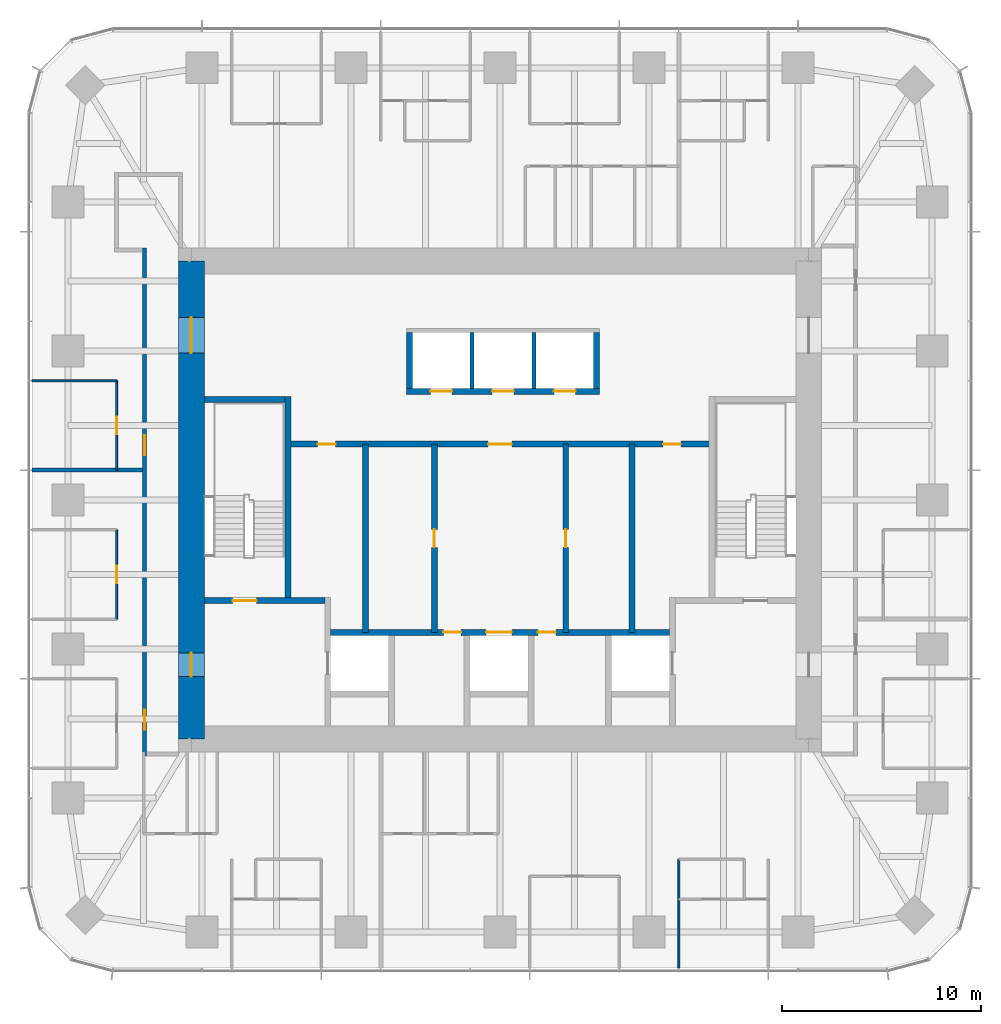
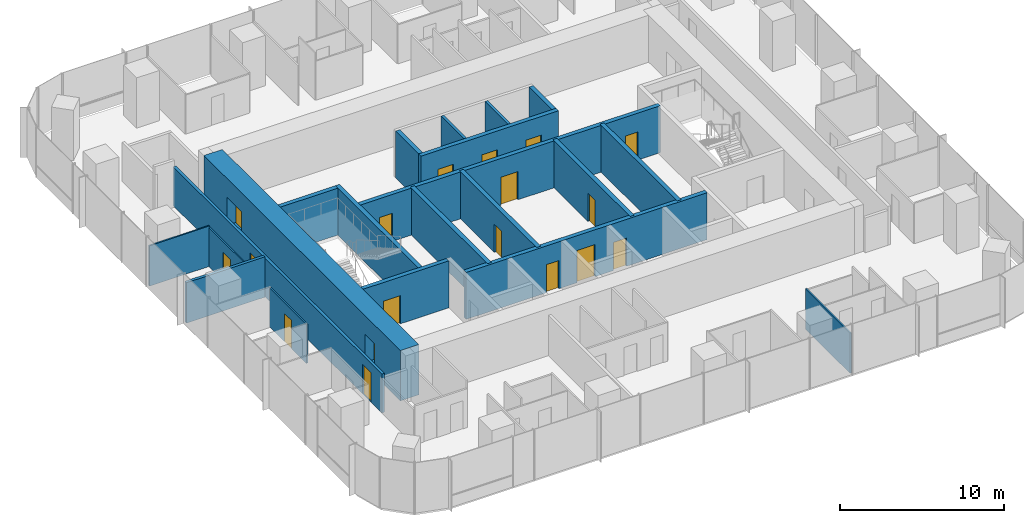
# One storey, part 9 of 12: 21 walls, 18 doors, 18 openings.
"""IFC4 building model written with IfcOpenShell, lengths in metres."""

from ifc_helpers import new_model, si_unit, direction, frame, frame_2d, origin, place, context, subcontext, project, spatial, rectangle, extrude, material, layer, layer_set, type_object, element, fill, save


model = new_model("IFC4")

# Units and contexts
model_context = context("Model", 3, precision=1e-05, world=origin(), true_north=direction((0.0, 1.0)))
body_context = subcontext(model_context, "Body", "Model", "MODEL_VIEW")
ifc_project = project(units=[si_unit("LENGTHUNIT", "METRE"), si_unit("AREAUNIT", "SQUARE_METRE"), si_unit("VOLUMEUNIT", "CUBIC_METRE"), si_unit("PLANEANGLEUNIT", "RADIAN"), si_unit("MASSUNIT", "GRAM", prefix="KILO")], contexts=[model_context])

# Site, building, storey
site_placement = place(None, origin())
site = spatial("IfcSite", under=ifc_project, at=site_placement, CompositionType="ELEMENT")
building_placement = place(site_placement, origin())
building = spatial("IfcBuilding", under=site, at=building_placement, Name="Khuree Lantern Residences", CompositionType="ELEMENT")
storey_placement = place(building_placement, frame((0.0, 0.0, 312.0)))
storey = spatial("IfcBuildingStorey", under=building, at=storey_placement, Name="L78", CompositionType="ELEMENT", Elevation=312.0)

# Wall, openings, doors
ifc_material_1 = material(Name="Dense concrete blockwork", Category="masonry")
ifc_layer_1 = layer(ifc_material_1, 0.300048828125)
ifc_layer_set_1 = layer_set([ifc_layer_1], Name="CORE PARTITION WALL CPW300 EI 120")
wall_type_1 = type_object("IfcWallType", Name="CORE PARTITION WALL CPW300 EI 120", PredefinedType="PARTITIONING", material=ifc_layer_set_1)
wall_1_placement = place(storey_placement, frame((-8.5, -6.64990234375, 0.0), z_axis=(0.0, 0.0, 1.0), x_axis=(1.0, 0.0, 0.0)))
wall_1 = element("IfcWall", 1, at=wall_1_placement, inside=storey, type_object=wall_type_1, Name="L78 CORE WALL FLROW", PredefinedType="PARTITIONING", context=body_context, shape_type="SweptSolid", body=[
    extrude(rectangle(XDim=17.0, YDim=0.300048828125, at=frame_2d((8.5, 0.0))), origin(), (0.0, 0.0, 1.0), 3.5),
])
opening_1_placement = place(wall_1_placement, frame((7.800048828125, 0.0, 0.0)))
opening_1 = element("IfcOpeningElement", 2, at=opening_1_placement, cuts=wall_1, Name="Opening 78-012", PredefinedType="OPENING", context=body_context, shape_type="SweptSolid", body=[
    extrude(rectangle(XDim=1.300048828125, YDim=2.39990234375, at=frame_2d((0.64990234375, 1.199951171875))), frame((0.0, 0.16015625, 0.0), z_axis=(0.0, -1.0, 0.0), x_axis=(1.0, 0.0, 0.0)), (0.0, 0.0, 1.0), 0.320068359375),
])
opening_2_placement = place(wall_1_placement, frame((5.64990234375, 0.0, 0.0)))
opening_2 = element("IfcOpeningElement", 3, at=opening_2_placement, cuts=wall_1, Name="Opening 78-014", PredefinedType="OPENING", context=body_context, shape_type="SweptSolid", body=[
    extrude(rectangle(XDim=0.89990234375, YDim=2.10009765625, at=frame_2d((0.449951171875, 1.050048828125))), frame((0.0, 0.16015625, 0.0), z_axis=(0.0, -1.0, 0.0), x_axis=(1.0, 0.0, 0.0)), (0.0, 0.0, 1.0), 0.320068359375),
])
opening_3_placement = place(wall_1_placement, frame((10.39990234375, 0.0, 0.0)))
opening_3 = element("IfcOpeningElement", 4, at=opening_3_placement, cuts=wall_1, Name="Opening 78-015", PredefinedType="OPENING", context=body_context, shape_type="SweptSolid", body=[
    extrude(rectangle(XDim=0.89990234375, YDim=2.10009765625, at=frame_2d((0.449951171875, 1.050048828125))), frame((0.0, 0.16015625, 0.0), z_axis=(0.0, -1.0, 0.0), x_axis=(1.0, 0.0, 0.0)), (0.0, 0.0, 1.0), 0.320068359375),
])
ifc_material_2 = material(Name="Steel door leaf in steel frame", Category="steel")
door_type_1 = type_object("IfcDoorType", Name="DOOR 900X2100 EI 60", OperationType="SINGLE_SWING_LEFT", PredefinedType="DOOR", material=ifc_material_2)
door_1_placement = place(opening_2_placement, origin())
door_1 = element("IfcDoor", 5, at=door_1_placement, inside=storey, type_object=door_type_1, Name="Refuse chute room door 78-014", OperationType="SINGLE_SWING_LEFT", OverallHeight=2.10009765625, OverallWidth=0.89990234375, PredefinedType="DOOR", context=body_context, shape_type="SweptSolid", body=[
    extrude(rectangle(XDim=0.89990234375, YDim=2.10009765625, at=frame_2d((0.449951171875, 1.050048828125))), frame((0.0, 0.02490234375, 0.0), z_axis=(0.0, -1.0, 0.0), x_axis=(1.0, 0.0, 0.0)), (0.0, 0.0, 1.0), 0.050048828125),
])
fill(opening_2, door_1)
door_type_2 = type_object("IfcDoorType", Name="DOOR 900X2100 EI 60 RIGHT HAND", OperationType="SINGLE_SWING_RIGHT", PredefinedType="DOOR", material=ifc_material_2)
door_2_placement = place(opening_3_placement, origin())
door_2 = element("IfcDoor", 6, at=door_2_placement, inside=storey, type_object=door_type_2, Name="Electrical and plumbing riser door 78-015", OperationType="SINGLE_SWING_RIGHT", OverallHeight=2.10009765625, OverallWidth=0.89990234375, PredefinedType="DOOR", context=body_context, shape_type="SweptSolid", body=[
    extrude(rectangle(XDim=0.89990234375, YDim=2.10009765625, at=frame_2d((0.449951171875, 1.050048828125))), frame((0.0, 0.02490234375, 0.0), z_axis=(0.0, -1.0, 0.0), x_axis=(1.0, 0.0, 0.0)), (0.0, 0.0, 1.0), 0.050048828125),
])
fill(opening_3, door_2)
ifc_material_3 = material(Name="Stainless steel lift landing door", Category="steel")
door_type_3 = type_object("IfcDoorType", Name="LIFT LANDING DOOR 1300X2400 E 60", OperationType="DOUBLE_DOOR_SLIDING", PredefinedType="DOOR", material=ifc_material_3)
door_3_placement = place(opening_1_placement, origin())
door_3 = element("IfcDoor", 7, at=door_3_placement, inside=storey, type_object=door_type_3, Name="Landing door SL1 78-012", OperationType="DOUBLE_DOOR_SLIDING", OverallHeight=2.39990234375, OverallWidth=1.300048828125, PredefinedType="DOOR", context=body_context, shape_type="SweptSolid", body=[
    extrude(rectangle(XDim=1.300048828125, YDim=2.39990234375, at=frame_2d((0.64990234375, 1.199951171875))), frame((0.0, 0.02490234375, 0.0), z_axis=(0.0, -1.0, 0.0), x_axis=(1.0, 0.0, 0.0)), (0.0, 0.0, 1.0), 0.050048828125),
])
fill(opening_1, door_3)

wall_2_placement = place(storey_placement, frame((-4.699951171875, 5.449951171875, 0.0), z_axis=(0.0, 0.0, 1.0), x_axis=(1.0, 0.0, 0.0)))
wall_2 = element("IfcWall", 8, at=wall_2_placement, inside=storey, type_object=wall_type_1, Name="L78 CORE WALL PHS", PredefinedType="PARTITIONING", context=body_context, shape_type="SweptSolid", body=[
    extrude(rectangle(XDim=9.699951171875, YDim=0.300048828125, at=frame_2d((4.85009765625, 0.0))), origin(), (0.0, 0.0, 1.0), 3.5),
])
opening_4_placement = place(wall_2_placement, frame((1.199951171875, 0.0, 0.0)))
opening_4 = element("IfcOpeningElement", 9, at=opening_4_placement, cuts=wall_2, Name="Opening 78-009", PredefinedType="OPENING", context=body_context, shape_type="SweptSolid", body=[
    extrude(rectangle(XDim=1.10009765625, YDim=2.10009765625, at=frame_2d((0.550048828125, 1.050048828125))), frame((0.0, 0.16015625, 0.0), z_axis=(0.0, -1.0, 0.0), x_axis=(1.0, 0.0, 0.0)), (0.0, 0.0, 1.0), 0.320068359375),
])
opening_5_placement = place(wall_2_placement, frame((4.300048828125, 0.0, 0.0)))
opening_5 = element("IfcOpeningElement", 10, at=opening_5_placement, cuts=wall_2, Name="Opening 78-010", PredefinedType="OPENING", context=body_context, shape_type="SweptSolid", body=[
    extrude(rectangle(XDim=1.10009765625, YDim=2.10009765625, at=frame_2d((0.550048828125, 1.050048828125))), frame((0.0, 0.16015625, 0.0), z_axis=(0.0, -1.0, 0.0), x_axis=(1.0, 0.0, 0.0)), (0.0, 0.0, 1.0), 0.320068359375),
])
opening_6_placement = place(wall_2_placement, frame((7.39990234375, 0.0, 0.0)))
opening_6 = element("IfcOpeningElement", 11, at=opening_6_placement, cuts=wall_2, Name="Opening 78-011", PredefinedType="OPENING", context=body_context, shape_type="SweptSolid", body=[
    extrude(rectangle(XDim=1.10009765625, YDim=2.10009765625, at=frame_2d((0.550048828125, 1.050048828125))), frame((0.0, 0.16015625, 0.0), z_axis=(0.0, -1.0, 0.0), x_axis=(1.0, 0.0, 0.0)), (0.0, 0.0, 1.0), 0.320068359375),
])
door_type_4 = type_object("IfcDoorType", Name="LIFT LANDING DOOR 1100X2100 E 60", OperationType="DOUBLE_DOOR_SLIDING", PredefinedType="DOOR", material=ifc_material_3)
door_4_placement = place(opening_4_placement, origin())
door_4 = element("IfcDoor", 12, at=door_4_placement, inside=storey, type_object=door_type_4, Name="Landing door PH1 78-009", OperationType="DOUBLE_DOOR_SLIDING", OverallHeight=2.10009765625, OverallWidth=1.10009765625, PredefinedType="DOOR", context=body_context, shape_type="SweptSolid", body=[
    extrude(rectangle(XDim=1.10009765625, YDim=2.10009765625, at=frame_2d((0.550048828125, 1.050048828125))), frame((0.0, 0.02490234375, 0.0), z_axis=(0.0, -1.0, 0.0), x_axis=(1.0, 0.0, 0.0)), (0.0, 0.0, 1.0), 0.050048828125),
])
fill(opening_4, door_4)
door_5_placement = place(opening_5_placement, origin())
door_5 = element("IfcDoor", 13, at=door_5_placement, inside=storey, type_object=door_type_4, Name="Landing door PH2 78-010", OperationType="DOUBLE_DOOR_SLIDING", OverallHeight=2.10009765625, OverallWidth=1.10009765625, PredefinedType="DOOR", context=body_context, shape_type="SweptSolid", body=[
    extrude(rectangle(XDim=1.10009765625, YDim=2.10009765625, at=frame_2d((0.550048828125, 1.050048828125))), frame((0.0, 0.02490234375, 0.0), z_axis=(0.0, -1.0, 0.0), x_axis=(1.0, 0.0, 0.0)), (0.0, 0.0, 1.0), 0.050048828125),
])
fill(opening_5, door_5)
door_6_placement = place(opening_6_placement, origin())
door_6 = element("IfcDoor", 14, at=door_6_placement, inside=storey, type_object=door_type_4, Name="Landing door PH3 78-011", OperationType="DOUBLE_DOOR_SLIDING", OverallHeight=2.10009765625, OverallWidth=1.10009765625, PredefinedType="DOOR", context=body_context, shape_type="SweptSolid", body=[
    extrude(rectangle(XDim=1.10009765625, YDim=2.10009765625, at=frame_2d((0.550048828125, 1.050048828125))), frame((0.0, 0.02490234375, 0.0), z_axis=(0.0, -1.0, 0.0), x_axis=(1.0, 0.0, 0.0)), (0.0, 0.0, 1.0), 0.050048828125),
])
fill(opening_6, door_6)

# Walls
for number, where, z_axis, x_axis, name in (
    (15, (-4.550048828125, 5.60009765625, 0.0), (0.0, 0.0, 1.0), (0.0, 1.0, 0.0), "L78 CORE WALL PHW"),
    (16, (4.85009765625, 5.60009765625, 0.0), (0.0, 0.0, 1.0), (0.0, 1.0, 0.0), "L78 CORE WALL PHE"),
):
    element("IfcWall", number, at=place(storey_placement, frame(where, z_axis=z_axis, x_axis=x_axis)), inside=storey, type_object=wall_type_1, Name=name, PredefinedType="PARTITIONING", context=body_context, shape_type="SweptSolid", body=[
        extrude(rectangle(XDim=2.7998046875, YDim=0.300048828125, at=frame_2d((1.39990234375, 0.0))), origin(), (0.0, 0.0, 1.0), 3.5),
    ])

# Wall, openings, doors
wall_3_placement = place(storey_placement, frame((-10.64990234375, 2.800048828125, 0.0), z_axis=(0.0, 0.0, 1.0), x_axis=(1.0, 0.0, 0.0)))
wall_3 = element("IfcWall", 17, at=wall_3_placement, inside=storey, type_object=wall_type_1, Name="L78 CORE WALL LLS", PredefinedType="PARTITIONING", context=body_context, shape_type="SweptSolid", body=[
    extrude(rectangle(XDim=21.2998046875, YDim=0.300048828125, at=frame_2d((10.64990234375, 0.0))), origin(), (0.0, 0.0, 1.0), 3.5),
])
opening_7_placement = place(wall_3_placement, frame((10.050048828125, 0.0, 0.0)))
opening_7 = element("IfcOpeningElement", 18, at=opening_7_placement, cuts=wall_3, Name="Opening 78-013", PredefinedType="OPENING", context=body_context, shape_type="SweptSolid", body=[
    extrude(rectangle(XDim=1.199951171875, YDim=2.10009765625, at=frame_2d((0.60009765625, 1.050048828125))), frame((0.0, 0.16015625, 0.0), z_axis=(0.0, -1.0, 0.0), x_axis=(1.0, 0.0, 0.0)), (0.0, 0.0, 1.0), 0.320068359375),
])
opening_8_placement = place(wall_3_placement, frame((1.492919921875, 0.0, 0.0)))
opening_8 = element("IfcOpeningElement", 19, at=opening_8_placement, cuts=wall_3, Name="Opening 78-017", PredefinedType="OPENING", context=body_context, shape_type="SweptSolid", body=[
    extrude(rectangle(XDim=0.89990234375, YDim=2.10009765625, at=frame_2d((0.449951171875, 1.050048828125))), frame((0.0, 0.16015625, 0.0), z_axis=(0.0, -1.0, 0.0), x_axis=(1.0, 0.0, 0.0)), (0.0, 0.0, 1.0), 0.320068359375),
])
opening_9_placement = place(wall_3_placement, frame((18.8359375, 0.0, 0.0)))
opening_9 = element("IfcOpeningElement", 20, at=opening_9_placement, cuts=wall_3, Name="Opening 78-019", PredefinedType="OPENING", context=body_context, shape_type="SweptSolid", body=[
    extrude(rectangle(XDim=0.89990234375, YDim=2.10009765625, at=frame_2d((0.449951171875, 1.050048828125))), frame((0.0, 0.16015625, 0.0), z_axis=(0.0, -1.0, 0.0), x_axis=(1.0, 0.0, 0.0)), (0.0, 0.0, 1.0), 0.320068359375),
])
door_type_5 = type_object("IfcDoorType", Name="DOOR 1200X2100 EI 60", OperationType="SINGLE_SWING_LEFT", PredefinedType="DOOR", material=ifc_material_2)
door_7_placement = place(opening_7_placement, origin())
door_7 = element("IfcDoor", 21, at=door_7_placement, inside=storey, type_object=door_type_5, Name="Service lift lobby door 78-013", OperationType="SINGLE_SWING_LEFT", OverallHeight=2.10009765625, OverallWidth=1.199951171875, PredefinedType="DOOR", context=body_context, shape_type="SweptSolid", body=[
    extrude(rectangle(XDim=1.199951171875, YDim=2.10009765625, at=frame_2d((0.60009765625, 1.050048828125))), frame((0.0, 0.02490234375, 0.0), z_axis=(0.0, -1.0, 0.0), x_axis=(1.0, 0.0, 0.0)), (0.0, 0.0, 1.0), 0.050048828125),
])
fill(opening_7, door_7)
ifc_material_4 = material(Name="Timber door leaf in hardwood frame", Category="wood")
door_type_6 = type_object("IfcDoorType", Name="DOOR 900X2100", OperationType="SINGLE_SWING_LEFT", PredefinedType="DOOR", material=ifc_material_4)
door_8_placement = place(opening_8_placement, origin())
door_8 = element("IfcDoor", 22, at=door_8_placement, inside=storey, type_object=door_type_6, Name="Residents' store door 78-017", OperationType="SINGLE_SWING_LEFT", OverallHeight=2.10009765625, OverallWidth=0.89990234375, PredefinedType="DOOR", context=body_context, shape_type="SweptSolid", body=[
    extrude(rectangle(XDim=0.89990234375, YDim=2.10009765625, at=frame_2d((0.449951171875, 1.050048828125))), frame((0.0, 0.02490234375, 0.0), z_axis=(0.0, -1.0, 0.0), x_axis=(1.0, 0.0, 0.0)), (0.0, 0.0, 1.0), 0.050048828125),
])
fill(opening_8, door_8)
door_type_7 = type_object("IfcDoorType", Name="DOOR 900X2100 RIGHT HAND", OperationType="SINGLE_SWING_RIGHT", PredefinedType="DOOR", material=ifc_material_4)
door_9_placement = place(opening_9_placement, origin())
door_9 = element("IfcDoor", 23, at=door_9_placement, inside=storey, type_object=door_type_7, Name="Residents' store door 78-019", OperationType="SINGLE_SWING_RIGHT", OverallHeight=2.10009765625, OverallWidth=0.89990234375, PredefinedType="DOOR", context=body_context, shape_type="SweptSolid", body=[
    extrude(rectangle(XDim=0.89990234375, YDim=2.10009765625, at=frame_2d((0.449951171875, 1.050048828125))), frame((0.0, 0.02490234375, 0.0), z_axis=(0.0, -1.0, 0.0), x_axis=(1.0, 0.0, 0.0)), (0.0, 0.0, 1.0), 0.050048828125),
])
fill(opening_9, door_9)

# Wall, opening, door
wall_4_placement = place(storey_placement, frame((-3.300048828125, -6.64990234375, 0.0), z_axis=(0.0, 0.0, 1.0), x_axis=(0.0, 1.0, 0.0)))
wall_4 = element("IfcWall", 24, at=wall_4_placement, inside=storey, type_object=wall_type_1, Name="L78 CORE WALL SVW", PredefinedType="PARTITIONING", context=body_context, shape_type="SweptSolid", body=[
    extrude(rectangle(XDim=9.449951171875, YDim=0.300048828125, at=frame_2d((4.72509765625, 0.0))), origin(), (0.0, 0.0, 1.0), 3.5),
])
opening_10_placement = place(wall_4_placement, frame((4.27490234375, 0.0, 0.0)))
opening_10 = element("IfcOpeningElement", 25, at=opening_10_placement, cuts=wall_4, Name="Opening 78-016", PredefinedType="OPENING", context=body_context, shape_type="SweptSolid", body=[
    extrude(rectangle(XDim=0.89990234375, YDim=2.10009765625, at=frame_2d((0.449951171875, 1.050048828125))), frame((0.0, 0.16015625, 0.0), z_axis=(0.0, -1.0, 0.0), x_axis=(1.0, 0.0, 0.0)), (0.0, 0.0, 1.0), 0.320068359375),
])
door_10_placement = place(opening_10_placement, origin())
door_10 = element("IfcDoor", 26, at=door_10_placement, inside=storey, type_object=door_type_6, Name="Residents' store door 78-016", OperationType="SINGLE_SWING_LEFT", OverallHeight=2.10009765625, OverallWidth=0.89990234375, PredefinedType="DOOR", context=body_context, shape_type="SweptSolid", body=[
    extrude(rectangle(XDim=0.89990234375, YDim=2.10009765625, at=frame_2d((0.449951171875, 1.050048828125))), frame((0.0, 0.02490234375, 0.0), z_axis=(0.0, -1.0, 0.0), x_axis=(1.0, 0.0, 0.0)), (0.0, 0.0, 1.0), 0.050048828125),
])
fill(opening_10, door_10)

wall_5_placement = place(storey_placement, frame((3.300048828125, -6.64990234375, 0.0), z_axis=(0.0, 0.0, 1.0), x_axis=(0.0, 1.0, 0.0)))
wall_5 = element("IfcWall", 27, at=wall_5_placement, inside=storey, type_object=wall_type_1, Name="L78 CORE WALL SVE", PredefinedType="PARTITIONING", context=body_context, shape_type="SweptSolid", body=[
    extrude(rectangle(XDim=9.449951171875, YDim=0.300048828125, at=frame_2d((4.72509765625, 0.0))), origin(), (0.0, 0.0, 1.0), 3.5),
])
opening_11_placement = place(wall_5_placement, frame((4.27490234375, 0.0, 0.0)))
opening_11 = element("IfcOpeningElement", 28, at=opening_11_placement, cuts=wall_5, Name="Opening 78-018", PredefinedType="OPENING", context=body_context, shape_type="SweptSolid", body=[
    extrude(rectangle(XDim=0.89990234375, YDim=2.10009765625, at=frame_2d((0.449951171875, 1.050048828125))), frame((0.0, 0.16015625, 0.0), z_axis=(0.0, -1.0, 0.0), x_axis=(1.0, 0.0, 0.0)), (0.0, 0.0, 1.0), 0.320068359375),
])
door_11_placement = place(opening_11_placement, origin())
door_11 = element("IfcDoor", 29, at=door_11_placement, inside=storey, type_object=door_type_6, Name="Residents' store door 78-018", OperationType="SINGLE_SWING_LEFT", OverallHeight=2.10009765625, OverallWidth=0.89990234375, PredefinedType="DOOR", context=body_context, shape_type="SweptSolid", body=[
    extrude(rectangle(XDim=0.89990234375, YDim=2.10009765625, at=frame_2d((0.449951171875, 1.050048828125))), frame((0.0, 0.02490234375, 0.0), z_axis=(0.0, -1.0, 0.0), x_axis=(1.0, 0.0, 0.0)), (0.0, 0.0, 1.0), 0.050048828125),
])
fill(opening_11, door_11)

# Walls
for number, where, z_axis, x_axis, name in (
    (30, (-6.763916015625, -6.64990234375, 0.0), (0.0, 0.0, 1.0), (0.0, 1.0, 0.0), "L78 CORE WALL WV"),
    (31, (6.6220703125, -6.64990234375, 0.0), (0.0, 0.0, 1.0), (0.0, 1.0, 0.0), "L78 CORE WALL EV"),
):
    element("IfcWall", number, at=place(storey_placement, frame(where, z_axis=z_axis, x_axis=x_axis)), inside=storey, type_object=wall_type_1, Name=name, PredefinedType="PARTITIONING", context=body_context, shape_type="SweptSolid", body=[
        extrude(rectangle(XDim=9.449951171875, YDim=0.300048828125, at=frame_2d((4.72509765625, 0.0))), origin(), (0.0, 0.0, 1.0), 3.5),
    ])

# Wall, openings, doors
ifc_material_5 = material(Name="Gypsum board on steel studs", Category="steel")
ifc_layer_2 = layer(ifc_material_5, 0.199951171875)
ifc_layer_set_2 = layer_set([ifc_layer_2], Name="CORRIDOR WALL CRW200 EI 60")
wall_type_2 = type_object("IfcWallType", Name="CORRIDOR WALL CRW200 EI 60", PredefinedType="PARTITIONING", material=ifc_layer_set_2)
wall_6_placement = place(storey_placement, frame((-17.85009765625, 12.64990234375, 0.0), z_axis=(0.0, 0.0, 1.0), x_axis=(0.0, -1.0, 0.0)))
wall_6 = element("IfcWall", 32, at=wall_6_placement, inside=storey, type_object=wall_type_2, Name="L78 CORRIDOR WALL WEST 1", PredefinedType="PARTITIONING", context=body_context, shape_type="SweptSolid", body=[
    extrude(rectangle(XDim=25.5, YDim=0.199951171875, at=frame_2d((12.75, 0.0))), origin(), (0.0, 0.0, 1.0), 2.89990234375),
])
opening_12_placement = place(wall_6_placement, frame((9.39990234375, 0.0, 0.0)))
opening_12 = element("IfcOpeningElement", 33, at=opening_12_placement, cuts=wall_6, Name="Opening 78-034", PredefinedType="OPENING", context=body_context, shape_type="SweptSolid", body=[
    extrude(rectangle(XDim=1.0, YDim=2.199951171875, at=frame_2d((0.5, 1.10009765625))), frame((0.0, 0.10986328125, 0.0), z_axis=(0.0, -1.0, 0.0), x_axis=(1.0, 0.0, 0.0)), (0.0, 0.0, 1.0), 0.219970703125),
])
opening_13_placement = place(wall_6_placement, frame((23.174072265625, 0.0, 0.0)))
opening_13 = element("IfcOpeningElement", 34, at=opening_13_placement, cuts=wall_6, Name="Opening 78-041", PredefinedType="OPENING", context=body_context, shape_type="SweptSolid", body=[
    extrude(rectangle(XDim=1.0, YDim=2.199951171875, at=frame_2d((0.5, 1.10009765625))), frame((0.0, 0.10986328125, 0.0), z_axis=(0.0, -1.0, 0.0), x_axis=(1.0, 0.0, 0.0)), (0.0, 0.0, 1.0), 0.219970703125),
])
door_type_8 = type_object("IfcDoorType", Name="APARTMENT ENTRANCE DOOR 1000X2200 EI 30S", OperationType="SINGLE_SWING_LEFT", PredefinedType="DOOR", material=ifc_material_4)
door_12_placement = place(opening_12_placement, origin())
door_12 = element("IfcDoor", 35, at=door_12_placement, inside=storey, type_object=door_type_8, Name="Apartment 02 entrance door 78-034", OperationType="SINGLE_SWING_LEFT", OverallHeight=2.199951171875, OverallWidth=1.0, PredefinedType="DOOR", context=body_context, shape_type="SweptSolid", body=[
    extrude(rectangle(XDim=1.0, YDim=2.199951171875, at=frame_2d((0.5, 1.10009765625))), frame((0.0, 0.02490234375, 0.0), z_axis=(0.0, -1.0, 0.0), x_axis=(1.0, 0.0, 0.0)), (0.0, 0.0, 1.0), 0.050048828125),
])
fill(opening_12, door_12)
door_type_9 = type_object("IfcDoorType", Name="APARTMENT ENTRANCE DOOR 1000X2200 EI 30S RIGHT HAND", OperationType="SINGLE_SWING_RIGHT", PredefinedType="DOOR", material=ifc_material_4)
door_13_placement = place(opening_13_placement, origin())
door_13 = element("IfcDoor", 36, at=door_13_placement, inside=storey, type_object=door_type_9, Name="Apartment 03 entrance door 78-041", OperationType="SINGLE_SWING_RIGHT", OverallHeight=2.199951171875, OverallWidth=1.0, PredefinedType="DOOR", context=body_context, shape_type="SweptSolid", body=[
    extrude(rectangle(XDim=1.0, YDim=2.199951171875, at=frame_2d((0.5, 1.10009765625))), frame((0.0, 0.02490234375, 0.0), z_axis=(0.0, -1.0, 0.0), x_axis=(1.0, 0.0, 0.0)), (0.0, 0.0, 1.0), 0.050048828125),
])
fill(opening_13, door_13)

ifc_material_6 = material(Name="Concrete C50/60", Category="concrete")
ifc_layer_3 = layer(ifc_material_6, 1.300048828125)
ifc_layer_set_3 = layer_set([ifc_layer_3], Name="CW1300-C50 CORE WALL C50 1300")
wall_type_3 = type_object("IfcWallType", Name="CW1300-C50 CORE WALL C50 1300", PredefinedType="SHEAR", material=ifc_layer_set_3)
wall_7_placement = place(storey_placement, frame((-15.5, -12.0, -0.25), z_axis=(0.0, 0.0, 1.0), x_axis=(0.0, 1.0, 0.0)))
wall_7 = element("IfcWall", 37, at=wall_7_placement, inside=storey, type_object=wall_type_3, Name="Core wall W", PredefinedType="SHEAR", context=body_context, shape_type="SweptSolid", body=[
    extrude(rectangle(XDim=24.0, YDim=1.300048828125, at=frame_2d((12.0, 0.0))), origin(), (0.0, 0.0, 1.0), 3.75),
])
opening_14_placement = place(wall_7_placement, frame((3.125, 0.0, 0.25)))
opening_14 = element("IfcOpeningElement", 38, at=opening_14_placement, cuts=wall_7, Name="Opening 78-002", PredefinedType="OPENING", context=body_context, shape_type="SweptSolid", body=[
    extrude(rectangle(XDim=1.199951171875, YDim=2.10009765625, at=frame_2d((0.60009765625, 1.050048828125))), frame((0.0, 0.66015625, 0.0), z_axis=(0.0, -1.0, 0.0), x_axis=(1.0, 0.0, 0.0)), (0.0, 0.0, 1.0), 1.320068359375),
])
opening_15_placement = place(wall_7_placement, frame((19.375, 0.0, 0.25)))
opening_15 = element("IfcOpeningElement", 39, at=opening_15_placement, cuts=wall_7, Name="Opening 78-003", PredefinedType="OPENING", context=body_context, shape_type="SweptSolid", body=[
    extrude(rectangle(XDim=1.800048828125, YDim=2.10009765625, at=frame_2d((0.89990234375, 1.050048828125))), frame((0.0, 0.66015625, 0.0), z_axis=(0.0, -1.0, 0.0), x_axis=(1.0, 0.0, 0.0)), (0.0, 0.0, 1.0), 1.320068359375),
])
door_type_10 = type_object("IfcDoorType", Name="LOBBY DOOR 1200X2100 EI 120", OperationType="SINGLE_SWING_LEFT", PredefinedType="DOOR", material=ifc_material_2)
door_14_placement = place(opening_14_placement, origin())
door_14 = element("IfcDoor", 40, at=door_14_placement, inside=storey, type_object=door_type_10, Name="Firefighting lobby door 78-002", OperationType="SINGLE_SWING_LEFT", OverallHeight=2.10009765625, OverallWidth=1.199951171875, PredefinedType="DOOR", context=body_context, shape_type="SweptSolid", body=[
    extrude(rectangle(XDim=1.199951171875, YDim=2.10009765625, at=frame_2d((0.60009765625, 1.050048828125))), frame((0.0, 0.02490234375, 0.0), z_axis=(0.0, -1.0, 0.0), x_axis=(1.0, 0.0, 0.0)), (0.0, 0.0, 1.0), 0.050048828125),
])
fill(opening_14, door_14)
door_type_11 = type_object("IfcDoorType", Name="LOBBY DOUBLE DOOR 1800X2100 EI 60", OperationType="DOUBLE_DOOR_SINGLE_SWING", PredefinedType="DOOR", material=ifc_material_2)
door_15_placement = place(opening_15_placement, origin())
door_15 = element("IfcDoor", 41, at=door_15_placement, inside=storey, type_object=door_type_11, Name="Lift lobby door 78-003", OperationType="DOUBLE_DOOR_SINGLE_SWING", OverallHeight=2.10009765625, OverallWidth=1.800048828125, PredefinedType="DOOR", context=body_context, shape_type="SweptSolid", body=[
    extrude(rectangle(XDim=1.800048828125, YDim=2.10009765625, at=frame_2d((0.89990234375, 1.050048828125))), frame((0.0, 0.02490234375, 0.0), z_axis=(0.0, -1.0, 0.0), x_axis=(1.0, 0.0, 0.0)), (0.0, 0.0, 1.0), 0.050048828125),
])
fill(opening_15, door_15)

# Walls
ifc_layer_4 = layer(ifc_material_5, 0.199951171875)
ifc_layer_set_4 = layer_set([ifc_layer_4], Name="DEMISING WALL DMW200 EI 90")
wall_type_4 = type_object("IfcWallType", Name="DEMISING WALL DMW200 EI 90", PredefinedType="PARTITIONING", material=ifc_layer_set_4)
wall_8_placement = place(storey_placement, frame((-17.949951171875, 1.49609375, 0.0), z_axis=(0.0, 0.0, 1.0), x_axis=(-1.0, 0.0, 0.0)))
element("IfcWall", 42, at=wall_8_placement, inside=storey, type_object=wall_type_4, Name="L78 DEMISING WALL 03", PredefinedType="PARTITIONING", context=body_context, shape_type="SweptSolid", body=[
    extrude(rectangle(XDim=5.550048828125, YDim=0.199951171875, at=frame_2d((2.77490234375, 0.0))), origin(), (0.0, 0.0, 1.0), 3.010009765625),
])
ifc_layer_5 = layer(ifc_material_5, 0.10009765625)
ifc_layer_set_5 = layer_set([ifc_layer_5], Name="PARTITION PT100")
wall_type_5 = type_object("IfcWallType", Name="PARTITION PT100", PredefinedType="PARTITIONING", material=ifc_layer_set_5)
wall_9_placement = place(storey_placement, frame((-19.25, 5.98388671875, 0.0), z_axis=(0.0, 0.0, 1.0), x_axis=(-1.0, 0.0, 0.0)))
element("IfcWall", 43, at=wall_9_placement, inside=storey, type_object=wall_type_5, Name="L78 PARTITION 02", PredefinedType="PARTITIONING", context=body_context, shape_type="SweptSolid", body=[
    extrude(rectangle(XDim=4.25, YDim=0.10009765625, at=frame_2d((2.125, 0.0))), origin(), (0.0, 0.0, 1.0), 3.010009765625),
])
wall_10_placement = place(storey_placement, frame((8.97607421875, -18.04638671875, 0.0), z_axis=(0.0, 0.0, 1.0), x_axis=(0.0, -1.0, 0.0)))
element("IfcWall", 44, at=wall_10_placement, inside=storey, type_object=wall_type_5, Name="L78 PARTITION 04", PredefinedType="PARTITIONING", context=body_context, shape_type="SweptSolid", body=[
    extrude(rectangle(XDim=5.45361328125, YDim=0.10009765625, at=frame_2d((2.726806640625, 0.0))), origin(), (0.0, 0.0, 1.0), 3.010009765625),
])

# Wall, opening, door
wall_11_placement = place(storey_placement, frame((-19.25, 5.98388671875, 0.0), z_axis=(0.0, 0.0, 1.0), x_axis=(0.0, -1.0, 0.0)))
wall_11 = element("IfcWall", 45, at=wall_11_placement, inside=storey, type_object=wall_type_5, Name="L78 PARTITION 02", PredefinedType="PARTITIONING", context=body_context, shape_type="SweptSolid", body=[
    extrude(rectangle(XDim=4.48779296875, YDim=0.10009765625, at=frame_2d((2.243896484375, 0.0))), origin(), (0.0, 0.0, 1.0), 2.909912109375),
])
opening_16_placement = place(wall_11_placement, frame((1.7939453125, 0.0, 0.0)))
opening_16 = element("IfcOpeningElement", 46, at=opening_16_placement, cuts=wall_11, Name="Opening 78-029", PredefinedType="OPENING", context=body_context, shape_type="SweptSolid", body=[
    extrude(rectangle(XDim=0.89990234375, YDim=2.10009765625, at=frame_2d((0.449951171875, 1.050048828125))), frame((0.0, 0.06005859375, 0.0), z_axis=(0.0, -1.0, 0.0), x_axis=(1.0, 0.0, 0.0)), (0.0, 0.0, 1.0), 0.1201171875),
])
door_type_12 = type_object("IfcDoorType", Name="BEDROOM DOOR 900X2100 RIGHT HAND", OperationType="SINGLE_SWING_RIGHT", PredefinedType="DOOR", material=ifc_material_4)
door_16_placement = place(opening_16_placement, origin())
door_16 = element("IfcDoor", 47, at=door_16_placement, inside=storey, type_object=door_type_12, Name="Bedroom door 78-029", OperationType="SINGLE_SWING_RIGHT", OverallHeight=2.10009765625, OverallWidth=0.89990234375, PredefinedType="DOOR", context=body_context, shape_type="SweptSolid", body=[
    extrude(rectangle(XDim=0.89990234375, YDim=2.10009765625, at=frame_2d((0.449951171875, 1.050048828125))), frame((0.0, 0.02490234375, 0.0), z_axis=(0.0, -1.0, 0.0), x_axis=(1.0, 0.0, 0.0)), (0.0, 0.0, 1.0), 0.050048828125),
])
fill(opening_16, door_16)

wall_12_placement = place(storey_placement, frame((-19.25, -1.49609375, 0.0), z_axis=(0.0, 0.0, 1.0), x_axis=(0.0, -1.0, 0.0)))
wall_12 = element("IfcWall", 48, at=wall_12_placement, inside=storey, type_object=wall_type_5, Name="L78 PARTITION 03", PredefinedType="PARTITIONING", context=body_context, shape_type="SweptSolid", body=[
    extrude(rectangle(XDim=4.48779296875, YDim=0.10009765625, at=frame_2d((2.243896484375, 0.0))), origin(), (0.0, 0.0, 1.0), 2.909912109375),
])
opening_17_placement = place(wall_12_placement, frame((1.7939453125, 0.0, 0.0)))
opening_17 = element("IfcOpeningElement", 49, at=opening_17_placement, cuts=wall_12, Name="Opening 78-035", PredefinedType="OPENING", context=body_context, shape_type="SweptSolid", body=[
    extrude(rectangle(XDim=0.89990234375, YDim=2.10009765625, at=frame_2d((0.449951171875, 1.050048828125))), frame((0.0, 0.06005859375, 0.0), z_axis=(0.0, -1.0, 0.0), x_axis=(1.0, 0.0, 0.0)), (0.0, 0.0, 1.0), 0.1201171875),
])
door_type_13 = type_object("IfcDoorType", Name="BEDROOM DOOR 900X2100", OperationType="SINGLE_SWING_LEFT", PredefinedType="DOOR", material=ifc_material_4)
door_17_placement = place(opening_17_placement, origin())
door_17 = element("IfcDoor", 50, at=door_17_placement, inside=storey, type_object=door_type_13, Name="Bedroom door 78-035", OperationType="SINGLE_SWING_LEFT", OverallHeight=2.10009765625, OverallWidth=0.89990234375, PredefinedType="DOOR", context=body_context, shape_type="SweptSolid", body=[
    extrude(rectangle(XDim=0.89990234375, YDim=2.10009765625, at=frame_2d((0.449951171875, 1.050048828125))), frame((0.0, 0.02490234375, 0.0), z_axis=(0.0, -1.0, 0.0), x_axis=(1.0, 0.0, 0.0)), (0.0, 0.0, 1.0), 0.050048828125),
])
fill(opening_17, door_17)

# Walls
ifc_layer_6 = layer(ifc_material_1, 0.199951171875)
ifc_layer_set_6 = layer_set([ifc_layer_6], Name="SHAFT WALL SHW200 EI 120")
wall_type_6 = type_object("IfcWallType", Name="SHAFT WALL SHW200 EI 120", PredefinedType="PARTITIONING", material=ifc_layer_set_6)
for number, where, z_axis, x_axis, name in (
    (51, (-1.39990234375, 5.60009765625, 0.0), (0.0, 0.0, 1.0), (0.0, 1.0, 0.0), "L78 CORE WALL PHD1"),
    (52, (1.699951171875, 5.60009765625, 0.0), (0.0, 0.0, 1.0), (0.0, 1.0, 0.0), "L78 CORE WALL PHD2"),
):
    element("IfcWall", number, at=place(storey_placement, frame(where, z_axis=z_axis, x_axis=x_axis)), inside=storey, type_object=wall_type_6, Name=name, PredefinedType="PARTITIONING", context=body_context, shape_type="SweptSolid", body=[
        extrude(rectangle(XDim=2.7998046875, YDim=0.199951171875, at=frame_2d((1.39990234375, 0.0))), origin(), (0.0, 0.0, 1.0), 3.5),
    ])
ifc_layer_7 = layer(ifc_material_6, 0.300048828125)
ifc_layer_set_7 = layer_set([ifc_layer_7], Name="STAIR WALL SRW300 C50/60 REI 240")
wall_type_7 = type_object("IfcWallType", Name="STAIR WALL SRW300 C50/60 REI 240", PredefinedType="SOLIDWALL", material=ifc_layer_set_7)
wall_13_placement = place(storey_placement, frame((-10.64990234375, -4.89990234375, 0.0), z_axis=(0.0, 0.0, 1.0), x_axis=(0.0, 1.0, 0.0)))
element("IfcWall", 53, at=wall_13_placement, inside=storey, type_object=wall_type_7, Name="L78 STAIR WALL ST1E", PredefinedType="SOLIDWALL", context=body_context, shape_type="SweptSolid", body=[
    extrude(rectangle(XDim=10.099853515625, YDim=0.300048828125, at=frame_2d((5.0498046875, 0.0))), origin(), (0.0, 0.0, 1.0), 3.5),
])

# Wall, opening, door
wall_14_placement = place(storey_placement, frame((-14.85009765625, -5.050048828125, 0.0), z_axis=(0.0, 0.0, 1.0), x_axis=(1.0, 0.0, 0.0)))
wall_14 = element("IfcWall", 54, at=wall_14_placement, inside=storey, type_object=wall_type_7, Name="L78 STAIR WALL ST1S", PredefinedType="SOLIDWALL", context=body_context, shape_type="SweptSolid", body=[
    extrude(rectangle(XDim=6.050048828125, YDim=0.300048828125, at=frame_2d((3.02490234375, 0.0))), origin(), (0.0, 0.0, 1.0), 3.5),
])
opening_18_placement = place(wall_14_placement, frame((1.425048828125, 0.0, 0.0)))
opening_18 = element("IfcOpeningElement", 55, at=opening_18_placement, cuts=wall_14, Name="Opening 78-001", PredefinedType="OPENING", context=body_context, shape_type="SweptSolid", body=[
    extrude(rectangle(XDim=1.199951171875, YDim=2.10009765625, at=frame_2d((0.60009765625, 1.050048828125))), frame((0.0, 0.16015625, 0.0), z_axis=(0.0, -1.0, 0.0), x_axis=(1.0, 0.0, 0.0)), (0.0, 0.0, 1.0), 0.320068359375),
])
door_type_14 = type_object("IfcDoorType", Name="STAIR DOOR 1200X2100 EI 120", OperationType="SINGLE_SWING_LEFT", PredefinedType="DOOR", material=ifc_material_2)
door_18_placement = place(opening_18_placement, origin())
door_18 = element("IfcDoor", 56, at=door_18_placement, inside=storey, type_object=door_type_14, Name="Stair ST1 door 78-001", OperationType="SINGLE_SWING_LEFT", OverallHeight=2.10009765625, OverallWidth=1.199951171875, PredefinedType="DOOR", context=body_context, shape_type="SweptSolid", body=[
    extrude(rectangle(XDim=1.199951171875, YDim=2.10009765625, at=frame_2d((0.60009765625, 1.050048828125))), frame((0.0, 0.02490234375, 0.0), z_axis=(0.0, -1.0, 0.0), x_axis=(1.0, 0.0, 0.0)), (0.0, 0.0, 1.0), 0.050048828125),
])
fill(opening_18, door_18)

# Wall
wall_15_placement = place(storey_placement, frame((-14.85009765625, 5.050048828125, 0.0), z_axis=(0.0, 0.0, 1.0), x_axis=(1.0, 0.0, 0.0)))
element("IfcWall", 57, at=wall_15_placement, inside=storey, type_object=wall_type_7, Name="L78 STAIR WALL ST1N", PredefinedType="SOLIDWALL", context=body_context, shape_type="SweptSolid", body=[
    extrude(rectangle(XDim=4.050048828125, YDim=0.300048828125, at=frame_2d((2.02490234375, 0.0))), origin(), (0.0, 0.0, 1.0), 3.5),
])

save(model, "model.ifc")
